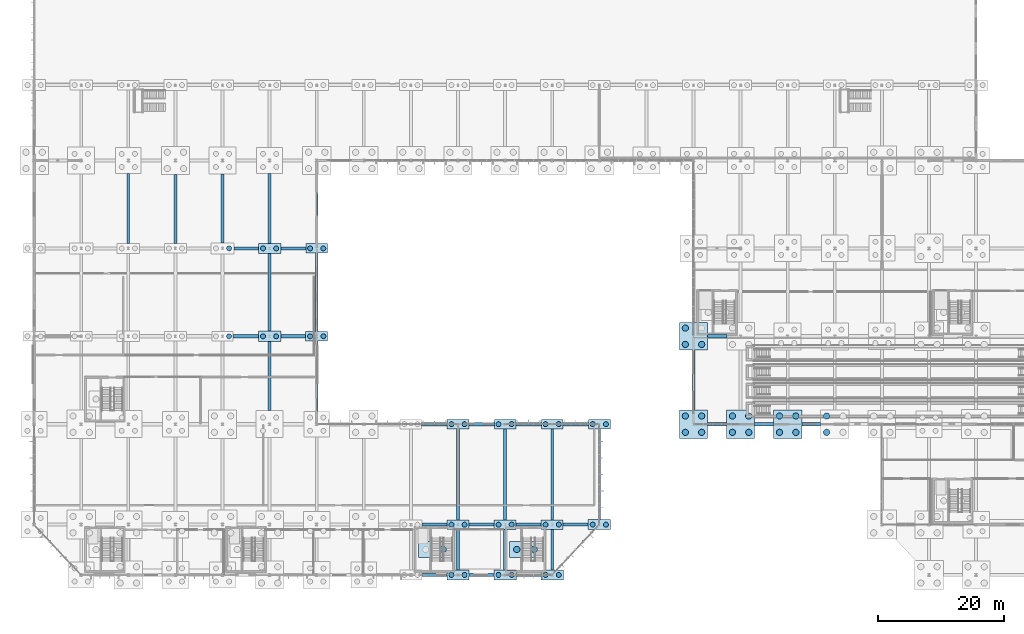
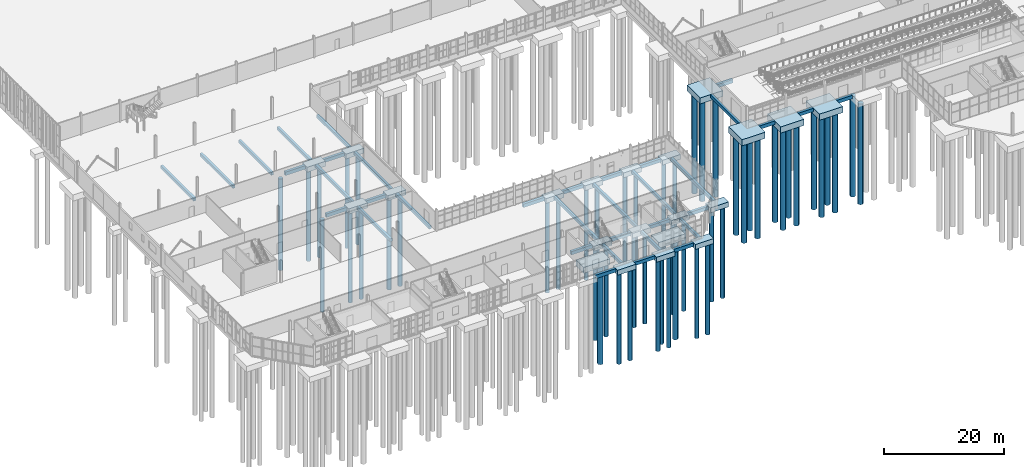
# One storey, part 3 of 136: 57 footings, 52 piles.
"""IFC4 building model written with IfcOpenShell, lengths in metres."""

from ifc_helpers import new_model, si_unit, direction, frame, origin, origin_2d, place, context, subcontext, project, spatial, rectangle, circle, extrude, material, material_profile, profile_set, type_object, element, save


model = new_model("IFC4")

# Units and contexts
model_context = context("Model", 3, precision=1e-05, world=origin(), true_north=direction((0.0, 1.0)))
body_context = subcontext(model_context, "Body", "Model", "MODEL_VIEW")
ifc_project = project(units=[si_unit("LENGTHUNIT", "METRE"), si_unit("AREAUNIT", "SQUARE_METRE"), si_unit("VOLUMEUNIT", "CUBIC_METRE"), si_unit("PLANEANGLEUNIT", "RADIAN"), si_unit("MASSUNIT", "GRAM", prefix="KILO")], contexts=[model_context])

# Site, building, storey
site_placement = place(None, origin())
site = spatial("IfcSite", under=ifc_project, at=site_placement, CompositionType="ELEMENT")
building_placement = place(site_placement, origin())
building = spatial("IfcBuilding", under=site, at=building_placement, Name="Solvenia Promenade Tram Depot", CompositionType="ELEMENT")
storey_placement = place(building_placement, origin())
storey = spatial("IfcBuildingStorey", under=building, at=storey_placement, Name="L00", CompositionType="ELEMENT", Elevation=0.0)

# Footings
ifc_material = material(Name="Concrete C28/35", Category="concrete")
footing_type_1 = type_object("IfcFootingType", Name="Cap-Core-5100x2600", PredefinedType="PAD_FOOTING", material=ifc_material)
for number, where, z_axis, x_axis, name in (
    (1, (63.75, 4.050048828125, -1.5), (0.0, 0.0, 1.0), (1.0, 0.0, 0.0), "Core Foundation Mat C3"),
    (2, (78.25, 4.050048828125, -1.5), (0.0, 0.0, 1.0), (1.0, 0.0, 0.0), "Core Foundation Mat C4"),
):
    element("IfcFooting", number, at=place(storey_placement, frame(where, z_axis=z_axis, x_axis=x_axis)), inside=storey, type_object=footing_type_1, Name=name, PredefinedType="PAD_FOOTING", context=body_context, shape_type="SweptSolid", body=[
        extrude(rectangle(XDim=5.10009765625, YDim=2.60009765625, at=origin_2d()), origin(), (0.0, 0.0, 1.0), 1.199951171875),
    ])
footing_type_2 = type_object("IfcFootingType", Name="Cap-PC2-3450x1500", PredefinedType="PILE_CAP", material=ifc_material)
for number, where, z_axis, x_axis, name in (
    (3, (45.0, 52.0, -1.280029296875), (0.0, 0.0, 1.0), (1.0, 0.0, 0.0), "Pile Cap CAP-052"),
    (4, (67.5, 24.0, -1.280029296875), (0.0, 0.0, 1.0), (1.0, 0.0, 0.0), "Pile Cap CAP-070"),
    (5, (75.0, 24.0, -1.280029296875), (0.0, 0.0, 1.0), (1.0, 0.0, 0.0), "Pile Cap CAP-076"),
    (6, (82.5, 24.0, -1.280029296875), (0.0, 0.0, 1.0), (1.0, 0.0, 0.0), "Pile Cap CAP-082"),
):
    element("IfcFooting", number, at=place(storey_placement, frame(where, z_axis=z_axis, x_axis=x_axis)), inside=storey, type_object=footing_type_2, Name=name, PredefinedType="PILE_CAP", context=body_context, shape_type="SweptSolid", body=[
        extrude(rectangle(XDim=3.449951171875, YDim=1.5, at=origin_2d()), origin(), (0.0, 0.0, 1.0), 0.97998046875),
    ])
footing_type_3 = type_object("IfcFootingType", Name="Cap-PC2-3500x1560", PredefinedType="PILE_CAP", material=ifc_material)
for number, where, z_axis, x_axis, name in (
    (7, (45.0, 38.0, -1.300048828125), (0.0, 0.0, 1.0), (1.0, 0.0, 0.0), "Pile Cap CAP-051"),
    (8, (67.5, 8.0, -1.300048828125), (0.0, 0.0, 1.0), (1.0, 0.0, 0.0), "Pile Cap CAP-069"),
    (9, (75.0, 8.0, -1.300048828125), (0.0, 0.0, 1.0), (1.0, 0.0, 0.0), "Pile Cap CAP-075"),
    (10, (82.5, 8.0, -1.300048828125), (0.0, 0.0, 1.0), (1.0, 0.0, 0.0), "Pile Cap CAP-081"),
    (11, (90.0, 24.0, -1.300048828125), (0.0, 0.0, 1.0), (1.0, 0.0, 0.0), "Pile Cap CAP-087"),
):
    element("IfcFooting", number, at=place(storey_placement, frame(where, z_axis=z_axis, x_axis=x_axis)), inside=storey, type_object=footing_type_3, Name=name, PredefinedType="PILE_CAP", context=body_context, shape_type="SweptSolid", body=[
        extrude(rectangle(XDim=3.5, YDim=1.56005859375, at=origin_2d()), origin(), (0.0, 0.0, 1.0), 1.0),
    ])
footing_type_4 = type_object("IfcFootingType", Name="Cap-PC2-3550x1620", PredefinedType="PILE_CAP", material=ifc_material)
for number, where, z_axis, x_axis, name in (
    (12, (37.5, 52.0, -1.320068359375), (0.0, 0.0, 1.0), (1.0, 0.0, 0.0), "Pile Cap CAP-044"),
    (13, (67.5, 0.0, -1.320068359375), (0.0, 0.0, 1.0), (1.0, 0.0, 0.0), "Pile Cap CAP-068"),
    (14, (75.0, 0.0, -1.320068359375), (0.0, 0.0, 1.0), (1.0, 0.0, 0.0), "Pile Cap CAP-074"),
    (15, (82.5, 0.0, -1.320068359375), (0.0, 0.0, 1.0), (1.0, 0.0, 0.0), "Pile Cap CAP-080"),
    (16, (90.0, 8.0, -1.320068359375), (0.0, 0.0, 1.0), (1.0, 0.0, 0.0), "Pile Cap CAP-086"),
):
    element("IfcFooting", number, at=place(storey_placement, frame(where, z_axis=z_axis, x_axis=x_axis)), inside=storey, type_object=footing_type_4, Name=name, PredefinedType="PILE_CAP", context=body_context, shape_type="SweptSolid", body=[
        extrude(rectangle(XDim=3.550048828125, YDim=1.6201171875, at=origin_2d()), origin(), (0.0, 0.0, 1.0), 1.02001953125),
    ])
footing_type_5 = type_object("IfcFootingType", Name="Cap-PC2-3600x1680", PredefinedType="PILE_CAP", material=ifc_material)
footing_1_placement = place(storey_placement, frame((37.5, 38.0, -1.35009765625), z_axis=(0.0, 0.0, 1.0), x_axis=(1.0, 0.0, 0.0)))
element("IfcFooting", 17, at=footing_1_placement, inside=storey, type_object=footing_type_5, Name="Pile Cap CAP-043", PredefinedType="PILE_CAP", context=body_context, shape_type="SweptSolid", body=[
    extrude(rectangle(XDim=3.60009765625, YDim=1.679931640625, at=origin_2d()), origin(), (0.0, 0.0, 1.0), 1.050048828125),
])
footing_type_6 = type_object("IfcFootingType", Name="Cap-PC4-4400", PredefinedType="PILE_CAP", material=ifc_material)
footing_2_placement = place(storey_placement, frame((105.0, 38.0, -1.52001953125), z_axis=(0.0, 0.0, 1.0), x_axis=(1.0, 0.0, 0.0)))
element("IfcFooting", 18, at=footing_2_placement, inside=storey, type_object=footing_type_6, Name="Pile Cap CAP-095", PredefinedType="PILE_CAP", context=body_context, shape_type="SweptSolid", body=[
    extrude(rectangle(XDim=4.39990234375, YDim=4.39990234375, at=origin_2d()), origin(), (0.0, 0.0, 1.0), 1.219970703125),
])
footing_type_7 = type_object("IfcFootingType", Name="Cap-PC4-4500", PredefinedType="PILE_CAP", material=ifc_material)
for number, where, z_axis, x_axis, name in (
    (19, (105.0, 24.0, -1.56005859375), (0.0, 0.0, 1.0), (1.0, 0.0, 0.0), "Pile Cap CAP-094"),
    (20, (112.5, 24.0, -1.56005859375), (0.0, 0.0, 1.0), (1.0, 0.0, 0.0), "Pile Cap CAP-100"),
    (21, (120.0, 24.0, -1.56005859375), (0.0, 0.0, 1.0), (1.0, 0.0, 0.0), "Pile Cap CAP-106"),
):
    element("IfcFooting", number, at=place(storey_placement, frame(where, z_axis=z_axis, x_axis=x_axis)), inside=storey, type_object=footing_type_7, Name=name, PredefinedType="PILE_CAP", context=body_context, shape_type="SweptSolid", body=[
        extrude(rectangle(XDim=4.5, YDim=4.5, at=origin_2d()), origin(), (0.0, 0.0, 1.0), 1.260009765625),
    ])

# Piles
ifc_material_profile_1 = material_profile(ifc_material, circle(Radius=0.5, at=origin_2d()), Name="D1000", Category="concrete")
ifc_profile_set_1 = profile_set([ifc_material_profile_1], Name="Concrete C28/35")
pile_type_1 = type_object("IfcPileType", Name="Pile-D1000", PredefinedType="BORED", material=ifc_profile_set_1)
for number, where, z_axis, x_axis, name in (
    (22, (103.699951171875, 22.699951171875, -1.4599609375), (0.0, 0.0, -1.0), (1.0, 0.0, 0.0), "Bored Pile PILE-094-1"),
    (23, (103.699951171875, 25.300048828125, -1.4599609375), (0.0, 0.0, -1.0), (1.0, 0.0, 0.0), "Bored Pile PILE-094-2"),
    (24, (106.300048828125, 22.699951171875, -1.4599609375), (0.0, 0.0, -1.0), (1.0, 0.0, 0.0), "Bored Pile PILE-094-3"),
    (25, (106.300048828125, 25.300048828125, -1.4599609375), (0.0, 0.0, -1.0), (1.0, 0.0, 0.0), "Bored Pile PILE-094-4"),
):
    element("IfcPile", number, at=place(storey_placement, frame(where, z_axis=z_axis, x_axis=x_axis)), inside=storey, type_object=pile_type_1, Name=name, PredefinedType="BORED", context=body_context, shape_type="SweptSolid", body=[
        extrude(circle(Radius=0.5, at=origin_2d()), origin(), (0.0, 0.0, 1.0), 20.5400390625),
    ])
for number, where, z_axis, x_axis, name in (
    (26, (103.699951171875, 36.699951171875, -1.419921875), (0.0, 0.0, -1.0), (1.0, 0.0, 0.0), "Bored Pile PILE-095-1"),
    (27, (103.699951171875, 39.300048828125, -1.419921875), (0.0, 0.0, -1.0), (1.0, 0.0, 0.0), "Bored Pile PILE-095-2"),
    (28, (106.300048828125, 36.699951171875, -1.419921875), (0.0, 0.0, -1.0), (1.0, 0.0, 0.0), "Bored Pile PILE-095-3"),
):
    element("IfcPile", number, at=place(storey_placement, frame(where, z_axis=z_axis, x_axis=x_axis)), inside=storey, type_object=pile_type_1, Name=name, PredefinedType="BORED", context=body_context, shape_type="SweptSolid", body=[
        extrude(circle(Radius=0.5, at=origin_2d()), origin(), (0.0, 0.0, 1.0), 20.580078125),
    ])
for number, where, z_axis, x_axis, name in (
    (29, (111.199951171875, 22.699951171875, -1.4599609375), (0.0, 0.0, -1.0), (1.0, 0.0, 0.0), "Bored Pile PILE-100-1"),
    (30, (111.199951171875, 25.300048828125, -1.4599609375), (0.0, 0.0, -1.0), (1.0, 0.0, 0.0), "Bored Pile PILE-100-2"),
    (31, (113.800048828125, 22.699951171875, -1.4599609375), (0.0, 0.0, -1.0), (1.0, 0.0, 0.0), "Bored Pile PILE-100-3"),
    (32, (113.800048828125, 25.300048828125, -1.4599609375), (0.0, 0.0, -1.0), (1.0, 0.0, 0.0), "Bored Pile PILE-100-4"),
    (33, (118.699951171875, 22.699951171875, -1.4599609375), (0.0, 0.0, -1.0), (1.0, 0.0, 0.0), "Bored Pile PILE-106-1"),
    (34, (118.699951171875, 25.300048828125, -1.4599609375), (0.0, 0.0, -1.0), (1.0, 0.0, 0.0), "Bored Pile PILE-106-2"),
    (35, (121.300048828125, 22.699951171875, -1.4599609375), (0.0, 0.0, -1.0), (1.0, 0.0, 0.0), "Bored Pile PILE-106-3"),
    (36, (121.300048828125, 25.300048828125, -1.4599609375), (0.0, 0.0, -1.0), (1.0, 0.0, 0.0), "Bored Pile PILE-106-4"),
    (37, (126.199951171875, 22.699951171875, -1.4599609375), (0.0, 0.0, -1.0), (1.0, 0.0, 0.0), "Bored Pile PILE-112-1"),
    (38, (126.199951171875, 25.300048828125, -1.4599609375), (0.0, 0.0, -1.0), (1.0, 0.0, 0.0), "Bored Pile PILE-112-2"),
):
    element("IfcPile", number, at=place(storey_placement, frame(where, z_axis=z_axis, x_axis=x_axis)), inside=storey, type_object=pile_type_1, Name=name, PredefinedType="BORED", context=body_context, shape_type="SweptSolid", body=[
        extrude(circle(Radius=0.5, at=origin_2d()), origin(), (0.0, 0.0, 1.0), 20.5400390625),
    ])
for number, where, z_axis, x_axis, name in (
    (39, (65.14990234375, 4.050048828125, -1.39990234375), (0.0, 0.0, -1.0), (1.0, 0.0, 0.0), "Core Bored Pile PILE-CORE-03-2"),
    (40, (76.85009765625, 4.050048828125, -1.39990234375), (0.0, 0.0, -1.0), (1.0, 0.0, 0.0), "Core Bored Pile PILE-CORE-04-1"),
    (41, (79.64990234375, 4.050048828125, -1.39990234375), (0.0, 0.0, -1.0), (1.0, 0.0, 0.0), "Core Bored Pile PILE-CORE-04-2"),
):
    element("IfcPile", number, at=place(storey_placement, frame(where, z_axis=z_axis, x_axis=x_axis)), inside=storey, type_object=pile_type_1, Name=name, PredefinedType="BORED", context=body_context, shape_type="SweptSolid", body=[
        extrude(circle(Radius=0.5, at=origin_2d()), origin(), (0.0, 0.0, 1.0), 20.60009765625),
    ])
ifc_material_profile_2 = material_profile(ifc_material, circle(Radius=0.39990234375, at=origin_2d()), Name="D800", Category="concrete")
ifc_profile_set_2 = profile_set([ifc_material_profile_2], Name="Concrete C28/35")
pile_type_2 = type_object("IfcPileType", Name="Pile-D800", PredefinedType="BORED", material=ifc_profile_set_2)
pile_1_placement = place(storey_placement, frame((31.050048828125, 38.0, -1.14990234375), z_axis=(0.0, 0.0, -1.0), x_axis=(1.0, 0.0, 0.0)))
element("IfcPile", 42, at=pile_1_placement, inside=storey, type_object=pile_type_2, Name="Bored Pile PILE-035-2", PredefinedType="BORED", context=body_context, shape_type="SweptSolid", body=[
    extrude(circle(Radius=0.39990234375, at=origin_2d()), origin(), (0.0, 0.0, 1.0), 18.85009765625),
])
pile_2_placement = place(storey_placement, frame((31.050048828125, 52.0, -1.280029296875), z_axis=(0.0, 0.0, -1.0), x_axis=(1.0, 0.0, 0.0)))
element("IfcPile", 43, at=pile_2_placement, inside=storey, type_object=pile_type_2, Name="Bored Pile PILE-036-2", PredefinedType="BORED", context=body_context, shape_type="SweptSolid", body=[
    extrude(circle(Radius=0.39990234375, at=origin_2d()), origin(), (0.0, 0.0, 1.0), 18.719970703125),
])
for number, where, z_axis, x_axis, name in (
    (44, (36.449951171875, 38.0, -1.25), (0.0, 0.0, -1.0), (1.0, 0.0, 0.0), "Bored Pile PILE-043-1"),
    (45, (38.550048828125, 38.0, -1.25), (0.0, 0.0, -1.0), (1.0, 0.0, 0.0), "Bored Pile PILE-043-2"),
):
    element("IfcPile", number, at=place(storey_placement, frame(where, z_axis=z_axis, x_axis=x_axis)), inside=storey, type_object=pile_type_2, Name=name, PredefinedType="BORED", context=body_context, shape_type="SweptSolid", body=[
        extrude(circle(Radius=0.39990234375, at=origin_2d()), origin(), (0.0, 0.0, 1.0), 18.75),
    ])
for number, where, z_axis, x_axis, name in (
    (46, (36.449951171875, 52.0, -1.219970703125), (0.0, 0.0, -1.0), (1.0, 0.0, 0.0), "Bored Pile PILE-044-1"),
    (47, (38.550048828125, 52.0, -1.219970703125), (0.0, 0.0, -1.0), (1.0, 0.0, 0.0), "Bored Pile PILE-044-2"),
):
    element("IfcPile", number, at=place(storey_placement, frame(where, z_axis=z_axis, x_axis=x_axis)), inside=storey, type_object=pile_type_2, Name=name, PredefinedType="BORED", context=body_context, shape_type="SweptSolid", body=[
        extrude(circle(Radius=0.39990234375, at=origin_2d()), origin(), (0.0, 0.0, 1.0), 18.780029296875),
    ])
for number, where, z_axis, x_axis, name in (
    (48, (43.949951171875, 38.0, -1.199951171875), (0.0, 0.0, -1.0), (1.0, 0.0, 0.0), "Bored Pile PILE-051-1"),
    (49, (46.050048828125, 38.0, -1.199951171875), (0.0, 0.0, -1.0), (1.0, 0.0, 0.0), "Bored Pile PILE-051-2"),
):
    element("IfcPile", number, at=place(storey_placement, frame(where, z_axis=z_axis, x_axis=x_axis)), inside=storey, type_object=pile_type_2, Name=name, PredefinedType="BORED", context=body_context, shape_type="SweptSolid", body=[
        extrude(circle(Radius=0.39990234375, at=origin_2d()), origin(), (0.0, 0.0, 1.0), 18.800048828125),
    ])
for number, where, z_axis, x_axis, name in (
    (50, (43.949951171875, 52.0, -1.179931640625), (0.0, 0.0, -1.0), (1.0, 0.0, 0.0), "Bored Pile PILE-052-1"),
    (51, (46.050048828125, 52.0, -1.179931640625), (0.0, 0.0, -1.0), (1.0, 0.0, 0.0), "Bored Pile PILE-052-2"),
):
    element("IfcPile", number, at=place(storey_placement, frame(where, z_axis=z_axis, x_axis=x_axis)), inside=storey, type_object=pile_type_2, Name=name, PredefinedType="BORED", context=body_context, shape_type="SweptSolid", body=[
        extrude(circle(Radius=0.39990234375, at=origin_2d()), origin(), (0.0, 0.0, 1.0), 18.820068359375),
    ])
for number, where, z_axis, x_axis, name in (
    (52, (66.449951171875, 0.0, -1.219970703125), (0.0, 0.0, -1.0), (1.0, 0.0, 0.0), "Bored Pile PILE-068-1"),
    (53, (68.550048828125, 0.0, -1.219970703125), (0.0, 0.0, -1.0), (1.0, 0.0, 0.0), "Bored Pile PILE-068-2"),
):
    element("IfcPile", number, at=place(storey_placement, frame(where, z_axis=z_axis, x_axis=x_axis)), inside=storey, type_object=pile_type_2, Name=name, PredefinedType="BORED", context=body_context, shape_type="SweptSolid", body=[
        extrude(circle(Radius=0.39990234375, at=origin_2d()), origin(), (0.0, 0.0, 1.0), 18.780029296875),
    ])
for number, where, z_axis, x_axis, name in (
    (54, (66.449951171875, 8.0, -1.199951171875), (0.0, 0.0, -1.0), (1.0, 0.0, 0.0), "Bored Pile PILE-069-1"),
    (55, (68.550048828125, 8.0, -1.199951171875), (0.0, 0.0, -1.0), (1.0, 0.0, 0.0), "Bored Pile PILE-069-2"),
):
    element("IfcPile", number, at=place(storey_placement, frame(where, z_axis=z_axis, x_axis=x_axis)), inside=storey, type_object=pile_type_2, Name=name, PredefinedType="BORED", context=body_context, shape_type="SweptSolid", body=[
        extrude(circle(Radius=0.39990234375, at=origin_2d()), origin(), (0.0, 0.0, 1.0), 18.800048828125),
    ])
for number, where, z_axis, x_axis, name in (
    (56, (66.449951171875, 24.0, -1.179931640625), (0.0, 0.0, -1.0), (1.0, 0.0, 0.0), "Bored Pile PILE-070-1"),
    (57, (68.550048828125, 24.0, -1.179931640625), (0.0, 0.0, -1.0), (1.0, 0.0, 0.0), "Bored Pile PILE-070-2"),
):
    element("IfcPile", number, at=place(storey_placement, frame(where, z_axis=z_axis, x_axis=x_axis)), inside=storey, type_object=pile_type_2, Name=name, PredefinedType="BORED", context=body_context, shape_type="SweptSolid", body=[
        extrude(circle(Radius=0.39990234375, at=origin_2d()), origin(), (0.0, 0.0, 1.0), 18.820068359375),
    ])
for number, where, z_axis, x_axis, name in (
    (58, (73.949951171875, 0.0, -1.219970703125), (0.0, 0.0, -1.0), (1.0, 0.0, 0.0), "Bored Pile PILE-074-1"),
    (59, (76.050048828125, 0.0, -1.219970703125), (0.0, 0.0, -1.0), (1.0, 0.0, 0.0), "Bored Pile PILE-074-2"),
):
    element("IfcPile", number, at=place(storey_placement, frame(where, z_axis=z_axis, x_axis=x_axis)), inside=storey, type_object=pile_type_2, Name=name, PredefinedType="BORED", context=body_context, shape_type="SweptSolid", body=[
        extrude(circle(Radius=0.39990234375, at=origin_2d()), origin(), (0.0, 0.0, 1.0), 18.780029296875),
    ])
for number, where, z_axis, x_axis, name in (
    (60, (73.949951171875, 8.0, -1.199951171875), (0.0, 0.0, -1.0), (1.0, 0.0, 0.0), "Bored Pile PILE-075-1"),
    (61, (76.050048828125, 8.0, -1.199951171875), (0.0, 0.0, -1.0), (1.0, 0.0, 0.0), "Bored Pile PILE-075-2"),
):
    element("IfcPile", number, at=place(storey_placement, frame(where, z_axis=z_axis, x_axis=x_axis)), inside=storey, type_object=pile_type_2, Name=name, PredefinedType="BORED", context=body_context, shape_type="SweptSolid", body=[
        extrude(circle(Radius=0.39990234375, at=origin_2d()), origin(), (0.0, 0.0, 1.0), 18.800048828125),
    ])
for number, where, z_axis, x_axis, name in (
    (62, (73.949951171875, 24.0, -1.179931640625), (0.0, 0.0, -1.0), (1.0, 0.0, 0.0), "Bored Pile PILE-076-1"),
    (63, (76.050048828125, 24.0, -1.179931640625), (0.0, 0.0, -1.0), (1.0, 0.0, 0.0), "Bored Pile PILE-076-2"),
):
    element("IfcPile", number, at=place(storey_placement, frame(where, z_axis=z_axis, x_axis=x_axis)), inside=storey, type_object=pile_type_2, Name=name, PredefinedType="BORED", context=body_context, shape_type="SweptSolid", body=[
        extrude(circle(Radius=0.39990234375, at=origin_2d()), origin(), (0.0, 0.0, 1.0), 18.820068359375),
    ])
for number, where, z_axis, x_axis, name in (
    (64, (81.449951171875, 0.0, -1.219970703125), (0.0, 0.0, -1.0), (1.0, 0.0, 0.0), "Bored Pile PILE-080-1"),
    (65, (83.550048828125, 0.0, -1.219970703125), (0.0, 0.0, -1.0), (1.0, 0.0, 0.0), "Bored Pile PILE-080-2"),
):
    element("IfcPile", number, at=place(storey_placement, frame(where, z_axis=z_axis, x_axis=x_axis)), inside=storey, type_object=pile_type_2, Name=name, PredefinedType="BORED", context=body_context, shape_type="SweptSolid", body=[
        extrude(circle(Radius=0.39990234375, at=origin_2d()), origin(), (0.0, 0.0, 1.0), 18.780029296875),
    ])
for number, where, z_axis, x_axis, name in (
    (66, (81.449951171875, 8.0, -1.199951171875), (0.0, 0.0, -1.0), (1.0, 0.0, 0.0), "Bored Pile PILE-081-1"),
    (67, (83.550048828125, 8.0, -1.199951171875), (0.0, 0.0, -1.0), (1.0, 0.0, 0.0), "Bored Pile PILE-081-2"),
):
    element("IfcPile", number, at=place(storey_placement, frame(where, z_axis=z_axis, x_axis=x_axis)), inside=storey, type_object=pile_type_2, Name=name, PredefinedType="BORED", context=body_context, shape_type="SweptSolid", body=[
        extrude(circle(Radius=0.39990234375, at=origin_2d()), origin(), (0.0, 0.0, 1.0), 18.800048828125),
    ])
for number, where, z_axis, x_axis, name in (
    (68, (81.449951171875, 24.0, -1.179931640625), (0.0, 0.0, -1.0), (1.0, 0.0, 0.0), "Bored Pile PILE-082-1"),
    (69, (83.550048828125, 24.0, -1.179931640625), (0.0, 0.0, -1.0), (1.0, 0.0, 0.0), "Bored Pile PILE-082-2"),
):
    element("IfcPile", number, at=place(storey_placement, frame(where, z_axis=z_axis, x_axis=x_axis)), inside=storey, type_object=pile_type_2, Name=name, PredefinedType="BORED", context=body_context, shape_type="SweptSolid", body=[
        extrude(circle(Radius=0.39990234375, at=origin_2d()), origin(), (0.0, 0.0, 1.0), 18.820068359375),
    ])
for number, where, z_axis, x_axis, name in (
    (70, (88.949951171875, 8.0, -1.219970703125), (0.0, 0.0, -1.0), (1.0, 0.0, 0.0), "Bored Pile PILE-086-1"),
    (71, (91.050048828125, 8.0, -1.219970703125), (0.0, 0.0, -1.0), (1.0, 0.0, 0.0), "Bored Pile PILE-086-2"),
):
    element("IfcPile", number, at=place(storey_placement, frame(where, z_axis=z_axis, x_axis=x_axis)), inside=storey, type_object=pile_type_2, Name=name, PredefinedType="BORED", context=body_context, shape_type="SweptSolid", body=[
        extrude(circle(Radius=0.39990234375, at=origin_2d()), origin(), (0.0, 0.0, 1.0), 18.780029296875),
    ])
for number, where, z_axis, x_axis, name in (
    (72, (88.949951171875, 24.0, -1.199951171875), (0.0, 0.0, -1.0), (1.0, 0.0, 0.0), "Bored Pile PILE-087-1"),
    (73, (91.050048828125, 24.0, -1.199951171875), (0.0, 0.0, -1.0), (1.0, 0.0, 0.0), "Bored Pile PILE-087-2"),
):
    element("IfcPile", number, at=place(storey_placement, frame(where, z_axis=z_axis, x_axis=x_axis)), inside=storey, type_object=pile_type_2, Name=name, PredefinedType="BORED", context=body_context, shape_type="SweptSolid", body=[
        extrude(circle(Radius=0.39990234375, at=origin_2d()), origin(), (0.0, 0.0, 1.0), 18.800048828125),
    ])

# Footings
footing_type_8 = type_object("IfcFootingType", Name="TieBeam-450x600", PredefinedType="FOOTING_BEAM", material=ifc_material)
footing_3_placement = place(storey_placement, frame((15.0, 58.3798828125, -0.900146484375), z_axis=(0.0, 0.0, 1.0), x_axis=(1.0, 0.0, 0.0)))
element("IfcFooting", 74, at=footing_3_placement, inside=storey, type_object=footing_type_8, Name="Seismic Tie Beam Y-153", PredefinedType="FOOTING_BEAM", context=body_context, shape_type="SweptSolid", body=[
    extrude(rectangle(XDim=0.449951171875, YDim=11.139892578125, at=origin_2d()), origin(), (0.0, 0.0, 1.0), 0.60009765625),
])
footing_4_placement = place(storey_placement, frame((22.5, 58.25, -0.900146484375), z_axis=(0.0, 0.0, 1.0), x_axis=(1.0, 0.0, 0.0)))
element("IfcFooting", 75, at=footing_4_placement, inside=storey, type_object=footing_type_8, Name="Seismic Tie Beam Y-159", PredefinedType="FOOTING_BEAM", context=body_context, shape_type="SweptSolid", body=[
    extrude(rectangle(XDim=0.449951171875, YDim=11.0, at=origin_2d()), origin(), (0.0, 0.0, 1.0), 0.60009765625),
])
footing_5_placement = place(storey_placement, frame((30.0, 58.362548828125, -0.900146484375), z_axis=(0.0, 0.0, 1.0), x_axis=(1.0, 0.0, 0.0)))
element("IfcFooting", 76, at=footing_5_placement, inside=storey, type_object=footing_type_8, Name="Seismic Tie Beam Y-165", PredefinedType="FOOTING_BEAM", context=body_context, shape_type="SweptSolid", body=[
    extrude(rectangle(XDim=0.449951171875, YDim=10.97509765625, at=origin_2d()), origin(), (0.0, 0.0, 1.0), 0.60009765625),
])
footing_6_placement = place(storey_placement, frame((37.5, 31.655029296875, -0.900146484375), z_axis=(0.0, 0.0, 1.0), x_axis=(1.0, 0.0, 0.0)))
element("IfcFooting", 77, at=footing_6_placement, inside=storey, type_object=footing_type_8, Name="Seismic Tie Beam Y-169", PredefinedType="FOOTING_BEAM", context=body_context, shape_type="SweptSolid", body=[
    extrude(rectangle(XDim=0.449951171875, YDim=11.010009765625, at=origin_2d()), origin(), (0.0, 0.0, 1.0), 0.60009765625),
])
footing_7_placement = place(storey_placement, frame((37.5, 45.014892578125, -0.900146484375), z_axis=(0.0, 0.0, 1.0), x_axis=(1.0, 0.0, 0.0)))
element("IfcFooting", 78, at=footing_7_placement, inside=storey, type_object=footing_type_8, Name="Seismic Tie Beam Y-170", PredefinedType="FOOTING_BEAM", context=body_context, shape_type="SweptSolid", body=[
    extrude(rectangle(XDim=0.449951171875, YDim=12.35009765625, at=origin_2d()), origin(), (0.0, 0.0, 1.0), 0.60009765625),
])
footing_8_placement = place(storey_placement, frame((37.5, 58.3798828125, -0.900146484375), z_axis=(0.0, 0.0, 1.0), x_axis=(1.0, 0.0, 0.0)))
element("IfcFooting", 79, at=footing_8_placement, inside=storey, type_object=footing_type_8, Name="Seismic Tie Beam Y-171", PredefinedType="FOOTING_BEAM", context=body_context, shape_type="SweptSolid", body=[
    extrude(rectangle(XDim=0.449951171875, YDim=11.139892578125, at=origin_2d()), origin(), (0.0, 0.0, 1.0), 0.60009765625),
])
footing_9_placement = place(storey_placement, frame((45.0, 31.635009765625, -0.900146484375), z_axis=(0.0, 0.0, 1.0), x_axis=(1.0, 0.0, 0.0)))
element("IfcFooting", 80, at=footing_9_placement, inside=storey, type_object=footing_type_8, Name="Seismic Tie Beam Y-175", PredefinedType="FOOTING_BEAM", context=body_context, shape_type="SweptSolid", body=[
    extrude(rectangle(XDim=0.449951171875, YDim=11.169921875, at=origin_2d()), origin(), (0.0, 0.0, 1.0), 0.60009765625),
])
footing_10_placement = place(storey_placement, frame((45.0, 45.014892578125, -0.900146484375), z_axis=(0.0, 0.0, 1.0), x_axis=(1.0, 0.0, 0.0)))
element("IfcFooting", 81, at=footing_10_placement, inside=storey, type_object=footing_type_8, Name="Seismic Tie Beam Y-176", PredefinedType="FOOTING_BEAM", context=body_context, shape_type="SweptSolid", body=[
    extrude(rectangle(XDim=0.449951171875, YDim=12.469970703125, at=origin_2d()), origin(), (0.0, 0.0, 1.0), 0.60009765625),
])
footing_11_placement = place(storey_placement, frame((45.0, 58.25, -0.900146484375), z_axis=(0.0, 0.0, 1.0), x_axis=(1.0, 0.0, 0.0)))
element("IfcFooting", 82, at=footing_11_placement, inside=storey, type_object=footing_type_8, Name="Seismic Tie Beam Y-177", PredefinedType="FOOTING_BEAM", context=body_context, shape_type="SweptSolid", body=[
    extrude(rectangle(XDim=0.449951171875, YDim=11.0, at=origin_2d()), origin(), (0.0, 0.0, 1.0), 0.60009765625),
])
footing_12_placement = place(storey_placement, frame((67.5, 4.014892578125, -0.900146484375), z_axis=(0.0, 0.0, 1.0), x_axis=(1.0, 0.0, 0.0)))
element("IfcFooting", 83, at=footing_12_placement, inside=storey, type_object=footing_type_8, Name="Seismic Tie Beam Y-185", PredefinedType="FOOTING_BEAM", context=body_context, shape_type="SweptSolid", body=[
    extrude(rectangle(XDim=0.449951171875, YDim=6.409912109375, at=origin_2d()), origin(), (0.0, 0.0, 1.0), 0.60009765625),
])
footing_13_placement = place(storey_placement, frame((67.5, 16.014892578125, -0.900146484375), z_axis=(0.0, 0.0, 1.0), x_axis=(1.0, 0.0, 0.0)))
element("IfcFooting", 84, at=footing_13_placement, inside=storey, type_object=footing_type_8, Name="Seismic Tie Beam Y-186", PredefinedType="FOOTING_BEAM", context=body_context, shape_type="SweptSolid", body=[
    extrude(rectangle(XDim=0.449951171875, YDim=14.469970703125, at=origin_2d()), origin(), (0.0, 0.0, 1.0), 0.60009765625),
])
footing_14_placement = place(storey_placement, frame((75.0, 4.014892578125, -0.900146484375), z_axis=(0.0, 0.0, 1.0), x_axis=(1.0, 0.0, 0.0)))
element("IfcFooting", 85, at=footing_14_placement, inside=storey, type_object=footing_type_8, Name="Seismic Tie Beam Y-188", PredefinedType="FOOTING_BEAM", context=body_context, shape_type="SweptSolid", body=[
    extrude(rectangle(XDim=0.449951171875, YDim=6.409912109375, at=origin_2d()), origin(), (0.0, 0.0, 1.0), 0.60009765625),
])
footing_15_placement = place(storey_placement, frame((75.0, 16.014892578125, -0.900146484375), z_axis=(0.0, 0.0, 1.0), x_axis=(1.0, 0.0, 0.0)))
element("IfcFooting", 86, at=footing_15_placement, inside=storey, type_object=footing_type_8, Name="Seismic Tie Beam Y-189", PredefinedType="FOOTING_BEAM", context=body_context, shape_type="SweptSolid", body=[
    extrude(rectangle(XDim=0.449951171875, YDim=14.469970703125, at=origin_2d()), origin(), (0.0, 0.0, 1.0), 0.60009765625),
])
footing_16_placement = place(storey_placement, frame((82.5, 4.014892578125, -0.900146484375), z_axis=(0.0, 0.0, 1.0), x_axis=(1.0, 0.0, 0.0)))
element("IfcFooting", 87, at=footing_16_placement, inside=storey, type_object=footing_type_8, Name="Seismic Tie Beam Y-191", PredefinedType="FOOTING_BEAM", context=body_context, shape_type="SweptSolid", body=[
    extrude(rectangle(XDim=0.449951171875, YDim=6.409912109375, at=origin_2d()), origin(), (0.0, 0.0, 1.0), 0.60009765625),
])
footing_17_placement = place(storey_placement, frame((82.5, 16.014892578125, -0.900146484375), z_axis=(0.0, 0.0, 1.0), x_axis=(1.0, 0.0, 0.0)))
element("IfcFooting", 88, at=footing_17_placement, inside=storey, type_object=footing_type_8, Name="Seismic Tie Beam Y-192", PredefinedType="FOOTING_BEAM", context=body_context, shape_type="SweptSolid", body=[
    extrude(rectangle(XDim=0.449951171875, YDim=14.469970703125, at=origin_2d()), origin(), (0.0, 0.0, 1.0), 0.60009765625),
])
footing_18_placement = place(storey_placement, frame((90.0, 16.014892578125, -0.900146484375), z_axis=(0.0, 0.0, 1.0), x_axis=(1.0, 0.0, 0.0)))
element("IfcFooting", 89, at=footing_18_placement, inside=storey, type_object=footing_type_8, Name="Seismic Tie Beam Y-194", PredefinedType="FOOTING_BEAM", context=body_context, shape_type="SweptSolid", body=[
    extrude(rectangle(XDim=0.449951171875, YDim=14.409912109375, at=origin_2d()), origin(), (0.0, 0.0, 1.0), 0.60009765625),
])
footing_19_placement = place(storey_placement, frame((105.0, 31.02490234375, -0.900146484375), z_axis=(0.0, 0.0, 1.0), x_axis=(1.0, 0.0, 0.0)))
element("IfcFooting", 90, at=footing_19_placement, inside=storey, type_object=footing_type_8, Name="Seismic Tie Beam Y-197", PredefinedType="FOOTING_BEAM", context=body_context, shape_type="SweptSolid", body=[
    extrude(rectangle(XDim=0.449951171875, YDim=9.550048828125, at=origin_2d()), origin(), (0.0, 0.0, 1.0), 0.60009765625),
])
footing_type_9 = type_object("IfcFootingType", Name="TieBeam-500x700", PredefinedType="FOOTING_BEAM", material=ifc_material)
for number, where, z_axis, x_axis, name in (
    (91, (63.75, 0.0, -1.0), (0.0, 0.0, 1.0), (1.0, 0.0, 0.0), "Seismic Tie Beam X-008"),
    (92, (71.25, 0.0, -1.0), (0.0, 0.0, 1.0), (1.0, 0.0, 0.0), "Seismic Tie Beam X-009"),
    (93, (78.75, 0.0, -1.0), (0.0, 0.0, 1.0), (1.0, 0.0, 0.0), "Seismic Tie Beam X-010"),
):
    element("IfcFooting", number, at=place(storey_placement, frame(where, z_axis=z_axis, x_axis=x_axis)), inside=storey, type_object=footing_type_9, Name=name, PredefinedType="FOOTING_BEAM", context=body_context, shape_type="SweptSolid", body=[
        extrude(rectangle(XDim=3.949951171875, YDim=0.5, at=origin_2d()), origin(), (0.0, 0.0, 1.0), 0.699951171875),
    ])
for number, where, z_axis, x_axis, name in (
    (94, (63.75, 8.0, -1.0), (0.0, 0.0, 1.0), (1.0, 0.0, 0.0), "Seismic Tie Beam X-023"),
    (95, (71.25, 8.0, -1.0), (0.0, 0.0, 1.0), (1.0, 0.0, 0.0), "Seismic Tie Beam X-024"),
    (96, (78.75, 8.0, -1.0), (0.0, 0.0, 1.0), (1.0, 0.0, 0.0), "Seismic Tie Beam X-025"),
):
    element("IfcFooting", number, at=place(storey_placement, frame(where, z_axis=z_axis, x_axis=x_axis)), inside=storey, type_object=footing_type_9, Name=name, PredefinedType="FOOTING_BEAM", context=body_context, shape_type="SweptSolid", body=[
        extrude(rectangle(XDim=4.0, YDim=0.5, at=origin_2d()), origin(), (0.0, 0.0, 1.0), 0.699951171875),
    ])
footing_20_placement = place(storey_placement, frame((86.237548828125, 8.0, -1.0), z_axis=(0.0, 0.0, 1.0), x_axis=(1.0, 0.0, 0.0)))
element("IfcFooting", 97, at=footing_20_placement, inside=storey, type_object=footing_type_9, Name="Seismic Tie Beam X-026", PredefinedType="FOOTING_BEAM", context=body_context, shape_type="SweptSolid", body=[
    extrude(rectangle(XDim=3.97509765625, YDim=0.5, at=origin_2d()), origin(), (0.0, 0.0, 1.0), 0.699951171875),
])
for number, where, z_axis, x_axis, name in (
    (98, (63.75, 24.0, -1.0), (0.0, 0.0, 1.0), (1.0, 0.0, 0.0), "Seismic Tie Beam X-040"),
    (99, (71.25, 24.0, -1.0), (0.0, 0.0, 1.0), (1.0, 0.0, 0.0), "Seismic Tie Beam X-041"),
    (100, (78.75, 24.0, -1.0), (0.0, 0.0, 1.0), (1.0, 0.0, 0.0), "Seismic Tie Beam X-042"),
):
    element("IfcFooting", number, at=place(storey_placement, frame(where, z_axis=z_axis, x_axis=x_axis)), inside=storey, type_object=footing_type_9, Name=name, PredefinedType="FOOTING_BEAM", context=body_context, shape_type="SweptSolid", body=[
        extrude(rectangle(XDim=4.050048828125, YDim=0.5, at=origin_2d()), origin(), (0.0, 0.0, 1.0), 0.699951171875),
    ])
footing_21_placement = place(storey_placement, frame((86.237548828125, 24.0, -1.0), z_axis=(0.0, 0.0, 1.0), x_axis=(1.0, 0.0, 0.0)))
element("IfcFooting", 101, at=footing_21_placement, inside=storey, type_object=footing_type_9, Name="Seismic Tie Beam X-043", PredefinedType="FOOTING_BEAM", context=body_context, shape_type="SweptSolid", body=[
    extrude(rectangle(XDim=4.02490234375, YDim=0.5, at=origin_2d()), origin(), (0.0, 0.0, 1.0), 0.699951171875),
])
for number, where, z_axis, x_axis, name in (
    (102, (108.75, 24.0, -1.0), (0.0, 0.0, 1.0), (1.0, 0.0, 0.0), "Seismic Tie Beam X-044"),
    (103, (116.25, 24.0, -1.0), (0.0, 0.0, 1.0), (1.0, 0.0, 0.0), "Seismic Tie Beam X-045"),
    (104, (123.75, 24.0, -1.0), (0.0, 0.0, 1.0), (1.0, 0.0, 0.0), "Seismic Tie Beam X-046"),
):
    element("IfcFooting", number, at=place(storey_placement, frame(where, z_axis=z_axis, x_axis=x_axis)), inside=storey, type_object=footing_type_9, Name=name, PredefinedType="FOOTING_BEAM", context=body_context, shape_type="SweptSolid", body=[
        extrude(rectangle(XDim=3.0, YDim=0.5, at=origin_2d()), origin(), (0.0, 0.0, 1.0), 0.699951171875),
    ])
footing_22_placement = place(storey_placement, frame((33.699951171875, 38.0, -1.0), z_axis=(0.0, 0.0, 1.0), x_axis=(1.0, 0.0, 0.0)))
element("IfcFooting", 105, at=footing_22_placement, inside=storey, type_object=footing_type_9, Name="Seismic Tie Beam X-057", PredefinedType="FOOTING_BEAM", context=body_context, shape_type="SweptSolid", body=[
    extrude(rectangle(XDim=4.0, YDim=0.5, at=origin_2d()), origin(), (0.0, 0.0, 1.0), 0.699951171875),
])
footing_23_placement = place(storey_placement, frame((41.27490234375, 38.0, -1.0), z_axis=(0.0, 0.0, 1.0), x_axis=(1.0, 0.0, 0.0)))
element("IfcFooting", 106, at=footing_23_placement, inside=storey, type_object=footing_type_9, Name="Seismic Tie Beam X-058", PredefinedType="FOOTING_BEAM", context=body_context, shape_type="SweptSolid", body=[
    extrude(rectangle(XDim=3.949951171875, YDim=0.5, at=origin_2d()), origin(), (0.0, 0.0, 1.0), 0.699951171875),
])
footing_24_placement = place(storey_placement, frame((108.75, 38.0, -1.0), z_axis=(0.0, 0.0, 1.0), x_axis=(1.0, 0.0, 0.0)))
element("IfcFooting", 107, at=footing_24_placement, inside=storey, type_object=footing_type_9, Name="Seismic Tie Beam X-059", PredefinedType="FOOTING_BEAM", context=body_context, shape_type="SweptSolid", body=[
    extrude(rectangle(XDim=3.10009765625, YDim=0.5, at=origin_2d()), origin(), (0.0, 0.0, 1.0), 0.699951171875),
])
footing_25_placement = place(storey_placement, frame((33.78759765625, 52.0, -1.0), z_axis=(0.0, 0.0, 1.0), x_axis=(1.0, 0.0, 0.0)))
element("IfcFooting", 108, at=footing_25_placement, inside=storey, type_object=footing_type_9, Name="Seismic Tie Beam X-072", PredefinedType="FOOTING_BEAM", context=body_context, shape_type="SweptSolid", body=[
    extrude(rectangle(XDim=3.875, YDim=0.5, at=origin_2d()), origin(), (0.0, 0.0, 1.0), 0.699951171875),
])
footing_26_placement = place(storey_placement, frame((41.27490234375, 52.0, -1.0), z_axis=(0.0, 0.0, 1.0), x_axis=(1.0, 0.0, 0.0)))
element("IfcFooting", 109, at=footing_26_placement, inside=storey, type_object=footing_type_9, Name="Seismic Tie Beam X-073", PredefinedType="FOOTING_BEAM", context=body_context, shape_type="SweptSolid", body=[
    extrude(rectangle(XDim=4.0, YDim=0.5, at=origin_2d()), origin(), (0.0, 0.0, 1.0), 0.699951171875),
])

save(model, "model.ifc")
